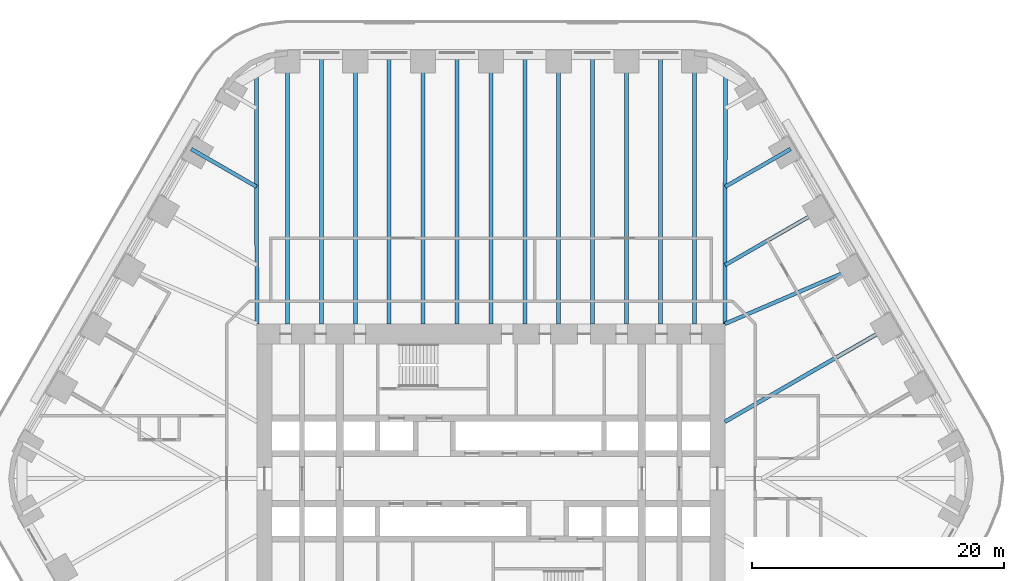
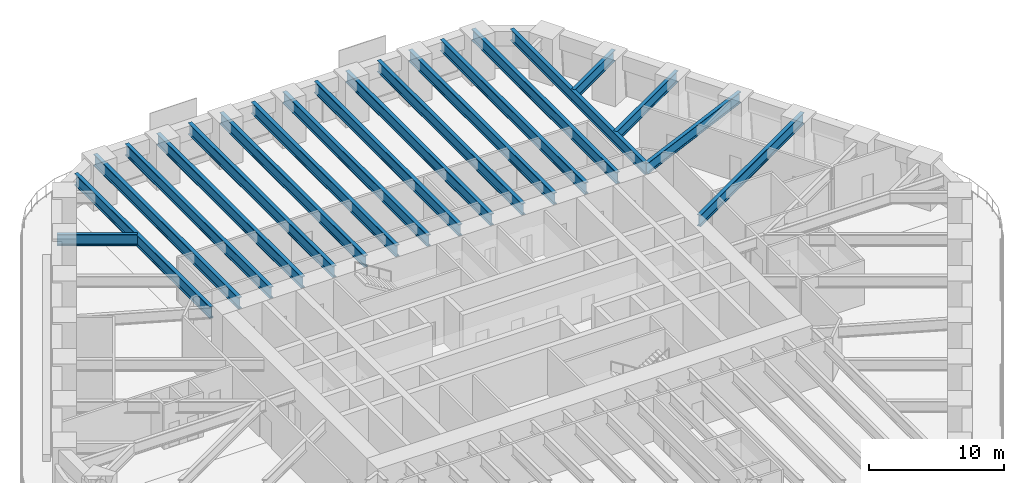
# One storey, part 10 of 23: 20 beams.
"""IFC4 building model written with IfcOpenShell, lengths in metres."""

from ifc_helpers import new_model, si_unit, direction, frame, origin, origin_2d, place, context, subcontext, project, spatial, i_section, extrude, material, material_profile, profile_set, type_object, element, save


model = new_model("IFC4")

# Units and contexts
model_context = context("Model", 3, precision=1e-05, world=origin(), true_north=direction((0.0, 1.0)))
body_context = subcontext(model_context, "Body", "Model", "MODEL_VIEW")
ifc_project = project(units=[si_unit("LENGTHUNIT", "METRE"), si_unit("AREAUNIT", "SQUARE_METRE"), si_unit("VOLUMEUNIT", "CUBIC_METRE"), si_unit("PLANEANGLEUNIT", "RADIAN"), si_unit("MASSUNIT", "GRAM", prefix="KILO")], contexts=[model_context])

# Site, building, storey
site_placement = place(None, origin())
site = spatial("IfcSite", under=ifc_project, at=site_placement, CompositionType="ELEMENT")
building_placement = place(site_placement, origin())
building = spatial("IfcBuilding", under=site, at=building_placement, Name="Tarfa Lantern Tower", CompositionType="ELEMENT")
storey_placement = place(building_placement, frame((0.0, 0.0, 44.5)))
storey = spatial("IfcBuildingStorey", under=building, at=storey_placement, Name="L09", CompositionType="ELEMENT", Elevation=44.5)

# Beams
ifc_material = material(Name="Steel S460M", Category="steel")
ifc_material_profile_1 = material_profile(ifc_material, i_section(OverallWidth=0.302001953125, OverallDepth=1.008056640625, WebThickness=0.02099609375, FlangeThickness=0.0400390625, FilletRadius=0.030029296875, at=origin_2d()), Name="UB1016x305x349")
ifc_profile_set_1 = profile_set([ifc_material_profile_1], Name="Steel S460M")
beam_type_1 = type_object("IfcBeamType", Name="UB1016x305x349", PredefinedType="BEAM", material=ifc_profile_set_1)
beam_1_placement = place(storey_placement, frame((29.202392578125, 16.860107421875, 3.495849609375), z_axis=(-0.918635483867, -0.395106122175, 0.0), x_axis=(0.395106122175, -0.918635483867, 0.0)))
element("IfcBeam", 1, at=beam_1_placement, inside=storey, type_object=beam_type_1, Name="Floor beam NE3", PredefinedType="BEAM", context=body_context, shape_type="SweptSolid", body=[
    extrude(i_section(OverallWidth=0.302001953125, OverallDepth=1.008056640625, WebThickness=0.02099609375, FlangeThickness=0.0400390625, FilletRadius=0.030029296875, at=origin_2d()), origin(), (0.0, 0.0, 1.0), 11.541259765625),
])
beam_2_placement = place(storey_placement, frame((26.508056640625, 21.526611328125, 3.495849609375), z_axis=(-0.866035355799, -0.49998276221, 0.0), x_axis=(0.49998276221, -0.866035355799, 0.0)))
element("IfcBeam", 2, at=beam_2_placement, inside=storey, type_object=beam_type_1, Name="Floor beam NE4", PredefinedType="BEAM", context=body_context, shape_type="SweptSolid", body=[
    extrude(i_section(OverallWidth=0.302001953125, OverallDepth=1.008056640625, WebThickness=0.02099609375, FlangeThickness=0.0400390625, FilletRadius=0.030029296875, at=origin_2d()), origin(), (0.0, 0.0, 1.0), 9.119873046875),
])
for number, where, z_axis, x_axis, name in (
    (3, (23.813720703125, 26.193359375, 3.495849609375), (-0.866015997389, -0.500016292001, 0.0), (0.500016292001, -0.866015997389, 0.0), "Floor beam NE5"),
    (4, (-23.813720703125, 26.193359375, 3.495849609375), (0.866015997389, -0.500016292001, 0.0), (0.500016292001, 0.866015997389, 0.0), "Floor beam NW1"),
):
    element("IfcBeam", number, at=place(storey_placement, frame(where, z_axis=z_axis, x_axis=x_axis)), inside=storey, type_object=beam_type_1, Name=name, PredefinedType="BEAM", context=body_context, shape_type="SweptSolid", body=[
        extrude(i_section(OverallWidth=0.302001953125, OverallDepth=1.008056640625, WebThickness=0.02099609375, FlangeThickness=0.0400390625, FilletRadius=0.030029296875, at=origin_2d()), origin(), (0.0, 0.0, 1.0), 5.993408203125),
    ])
ifc_material_profile_2 = material_profile(ifc_material, i_section(OverallWidth=0.314208984375, OverallDepth=1.055908203125, WebThickness=0.035888671875, FlangeThickness=0.06396484375, FilletRadius=0.030029296875, at=origin_2d()), Name="UB1016x305x584")
ifc_profile_set_2 = profile_set([ifc_material_profile_2], Name="Steel S460M")
beam_type_2 = type_object("IfcBeamType", Name="UB1016x305x584", PredefinedType="BEAM", material=ifc_profile_set_2)
for number, where, z_axis, x_axis, name in (
    (5, (18.60009765625, 12.300048828125, 3.471923828125), (0.00212508222, 0.99999774201, 0.0), (-0.99999774201, 0.00212508222, 0.0), "Hip girder NE"),
    (6, (-18.60009765625, 12.300048828125, 3.471923828125), (-0.00212508222, 0.99999774201, 0.0), (-0.99999774201, -0.00212508222, 0.0), "Hip girder NW"),
):
    element("IfcBeam", number, at=place(storey_placement, frame(where, z_axis=z_axis, x_axis=x_axis)), inside=storey, type_object=beam_type_2, Name=name, PredefinedType="BEAM", context=body_context, shape_type="SweptSolid", body=[
        extrude(i_section(OverallWidth=0.314208984375, OverallDepth=1.055908203125, WebThickness=0.035888671875, FlangeThickness=0.06396484375, FilletRadius=0.030029296875, at=origin_2d()), origin(), (0.0, 0.0, 1.0), 19.989990234375),
    ])
beam_3_placement = place(storey_placement, frame((31.896728515625, 12.193359375, 3.471923828125), z_axis=(-0.866026971665, -0.499997284341, 0.0), x_axis=(0.499997284341, -0.866026971665, 0.0)))
element("IfcBeam", 7, at=beam_3_placement, inside=storey, type_object=beam_type_2, Name="Floor beam NE2", PredefinedType="BEAM", context=body_context, shape_type="SweptSolid", body=[
    extrude(i_section(OverallWidth=0.314208984375, OverallDepth=1.055908203125, WebThickness=0.035888671875, FlangeThickness=0.06396484375, FilletRadius=0.030029296875, at=origin_2d()), origin(), (0.0, 0.0, 1.0), 15.353515625),
])
for number, where, z_axis, x_axis, name in (
    (8, (16.165771484375, 33.719970703125, 3.471923828125), (0.0, -1.0, 0.0), (1.0, 0.0, 0.0), "Floor beam N0"),
    (9, (10.777099609375, 33.719970703125, 3.471923828125), (0.0, -1.0, 0.0), (1.0, 0.0, 0.0), "Floor beam N1"),
    (10, (5.388671875, 33.719970703125, 3.471923828125), (0.0, -1.0, 0.0), (1.0, 0.0, 0.0), "Floor beam N2"),
    (11, (0.0, 33.719970703125, 3.471923828125), (0.0, -1.0, 0.0), (1.0, 0.0, 0.0), "Floor beam N3"),
    (12, (-5.388671875, 33.719970703125, 3.471923828125), (0.0, -1.0, 0.0), (1.0, 0.0, 0.0), "Floor beam N4"),
    (13, (-10.777099609375, 33.719970703125, 3.471923828125), (0.0, -1.0, 0.0), (1.0, 0.0, 0.0), "Floor beam N5"),
    (14, (-16.165771484375, 33.719970703125, 3.471923828125), (0.0, -1.0, 0.0), (1.0, 0.0, 0.0), "Floor beam N6"),
    (15, (13.471435546875, 33.719970703125, 3.471923828125), (0.0, -1.0, 0.0), (1.0, 0.0, 0.0), "Floor beam N0M"),
    (16, (8.0830078125, 33.719970703125, 3.471923828125), (0.0, -1.0, 0.0), (1.0, 0.0, 0.0), "Floor beam N1M"),
    (17, (2.6943359375, 33.719970703125, 3.471923828125), (0.0, -1.0, 0.0), (1.0, 0.0, 0.0), "Floor beam N2M"),
    (18, (-2.6943359375, 33.719970703125, 3.471923828125), (0.0, -1.0, 0.0), (1.0, 0.0, 0.0), "Floor beam N3M"),
    (19, (-8.0830078125, 33.719970703125, 3.471923828125), (0.0, -1.0, 0.0), (1.0, 0.0, 0.0), "Floor beam N4M"),
    (20, (-13.471435546875, 33.719970703125, 3.471923828125), (0.0, -1.0, 0.0), (1.0, 0.0, 0.0), "Floor beam N5M"),
):
    element("IfcBeam", number, at=place(storey_placement, frame(where, z_axis=z_axis, x_axis=x_axis)), inside=storey, type_object=beam_type_2, Name=name, PredefinedType="BEAM", context=body_context, shape_type="SweptSolid", body=[
        extrude(i_section(OverallWidth=0.314208984375, OverallDepth=1.055908203125, WebThickness=0.035888671875, FlangeThickness=0.06396484375, FilletRadius=0.030029296875, at=origin_2d()), origin(), (0.0, 0.0, 1.0), 21.419921875),
    ])

save(model, "model.ifc")
